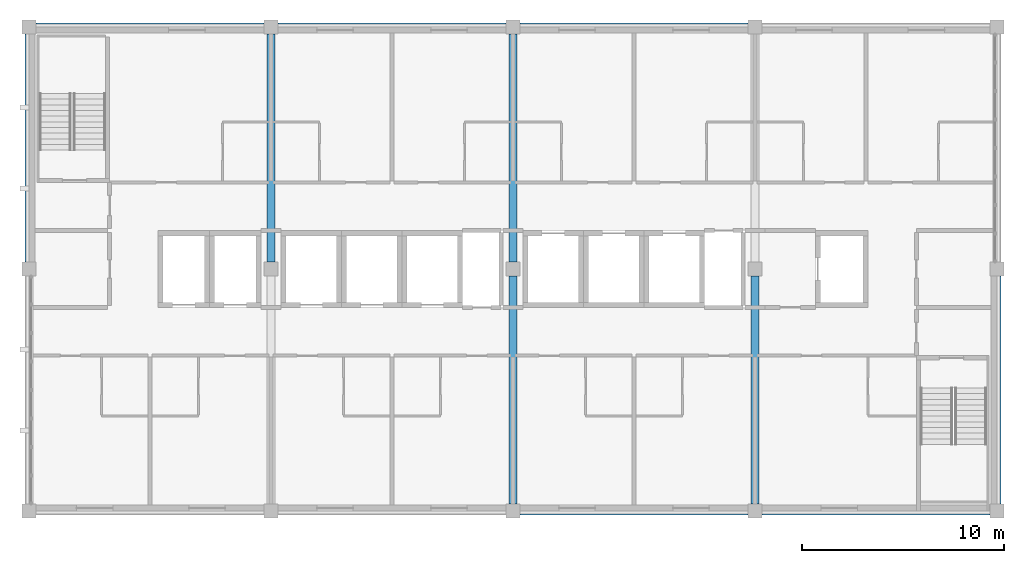
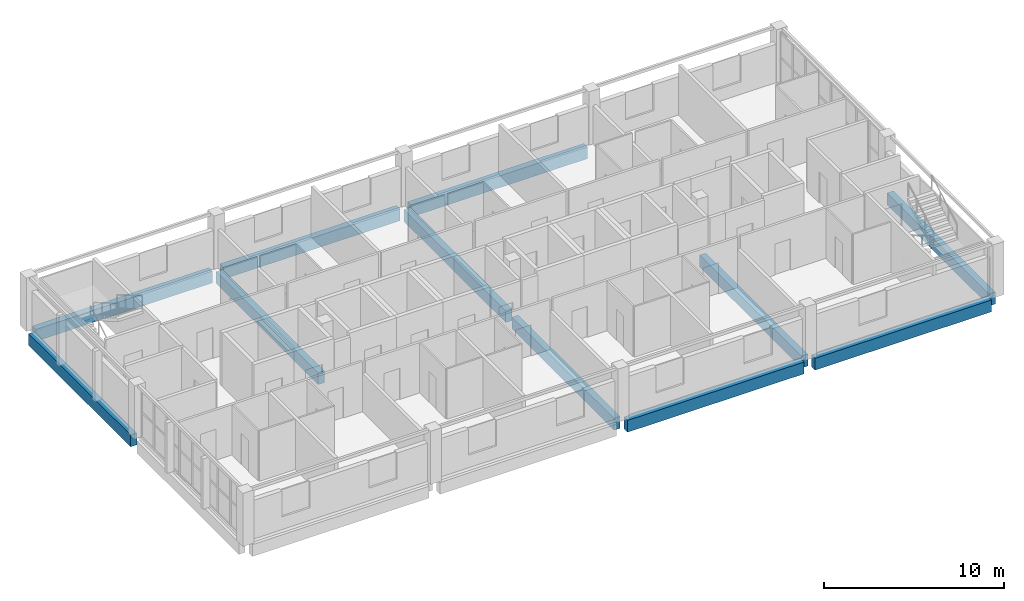
# One storey, part 3 of 11: 11 beams.
"""IFC4 building model written with IfcOpenShell, lengths in metres."""

from ifc_helpers import new_model, si_unit, direction, frame, origin, origin_2d, place, context, subcontext, project, spatial, rectangle, extrude, material, material_profile, profile_set, type_object, element, save


model = new_model("IFC4")

# Units and contexts
model_context = context("Model", 3, precision=1e-05, world=origin(), true_north=direction((0.0, 1.0)))
body_context = subcontext(model_context, "Body", "Model", "MODEL_VIEW")
ifc_project = project(units=[si_unit("LENGTHUNIT", "METRE"), si_unit("AREAUNIT", "SQUARE_METRE"), si_unit("VOLUMEUNIT", "CUBIC_METRE"), si_unit("PLANEANGLEUNIT", "RADIAN"), si_unit("MASSUNIT", "GRAM", prefix="KILO")], contexts=[model_context])

# Site, building, storey
site_placement = place(None, origin())
site = spatial("IfcSite", under=ifc_project, at=site_placement, CompositionType="ELEMENT")
building_placement = place(site_placement, origin())
building = spatial("IfcBuilding", under=site, at=building_placement, Name="Lilac Gate Convention Centre", CompositionType="ELEMENT")
storey_placement = place(building_placement, frame((0.0, 0.0, 64.199951171875)))
storey = spatial("IfcBuildingStorey", under=building, at=storey_placement, Name="L16", CompositionType="ELEMENT", Elevation=64.199951171875)

# Beams
ifc_material = material(Name="Concrete C40", Category="concrete")
ifc_material_profile = material_profile(ifc_material, rectangle(XDim=0.39990234375, YDim=0.800048828125, at=origin_2d()), Name="RC 400x800")
ifc_profile_set = profile_set([ifc_material_profile], Name="Concrete C40")
beam_type = type_object("IfcBeamType", Name="Tower primary beam 400x800 C40", PredefinedType="BEAM", material=ifc_profile_set)
for number, where, z_axis, x_axis, name in (
    (1, (66.35009765625, 222.0, -0.599853515625), (1.0, 0.0, 0.0), (0.0, 1.0, 0.0), "RB3 L16 6/S-7/S"),
    (2, (78.35009765625, 222.0, -0.599853515625), (1.0, 0.0, 0.0), (0.0, 1.0, 0.0), "RB3 L16 7/S-8/S"),
    (3, (42.35009765625, 246.0, -0.599853515625), (1.0, 0.0, 0.0), (0.0, 1.0, 0.0), "RB3 L16 4/U-5/U"),
    (4, (54.35009765625, 246.0, -0.599853515625), (1.0, 0.0, 0.0), (0.0, 1.0, 0.0), "RB3 L16 5/U-6/U"),
    (5, (66.35009765625, 246.0, -0.599853515625), (1.0, 0.0, 0.0), (0.0, 1.0, 0.0), "RB3 L16 6/U-7/U"),
    (6, (42.0, 234.35009765625, -0.599853515625), (0.0, 1.0, 0.0), (-1.0, 0.0, 0.0), "RB3 L16 4/T-4/U"),
    (7, (54.0, 234.35009765625, -0.599853515625), (0.0, 1.0, 0.0), (-1.0, 0.0, 0.0), "RB3 L16 5/T-5/U"),
    (8, (66.0, 222.35009765625, -0.599853515625), (0.0, 1.0, 0.0), (-1.0, 0.0, 0.0), "RB3 L16 6/S-6/T"),
    (9, (66.0, 234.35009765625, -0.599853515625), (0.0, 1.0, 0.0), (-1.0, 0.0, 0.0), "RB3 L16 6/T-6/U"),
    (10, (78.0, 222.35009765625, -0.599853515625), (0.0, 1.0, 0.0), (-1.0, 0.0, 0.0), "RB3 L16 7/S-7/T"),
    (11, (90.0, 222.35009765625, -0.599853515625), (0.0, 1.0, 0.0), (-1.0, 0.0, 0.0), "RB3 L16 8/S-8/T"),
):
    element("IfcBeam", number, at=place(storey_placement, frame(where, z_axis=z_axis, x_axis=x_axis)), inside=storey, type_object=beam_type, Name=name, PredefinedType="BEAM", context=body_context, shape_type="SweptSolid", body=[
        extrude(rectangle(XDim=0.39990234375, YDim=0.800048828125, at=origin_2d()), origin(), (0.0, 0.0, 1.0), 11.2998046875),
    ])

save(model, "model.ifc")
